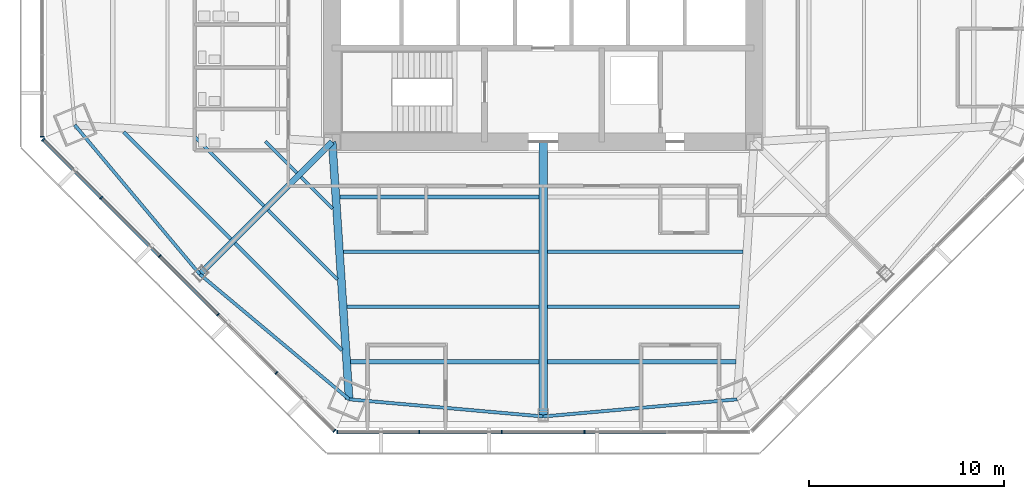
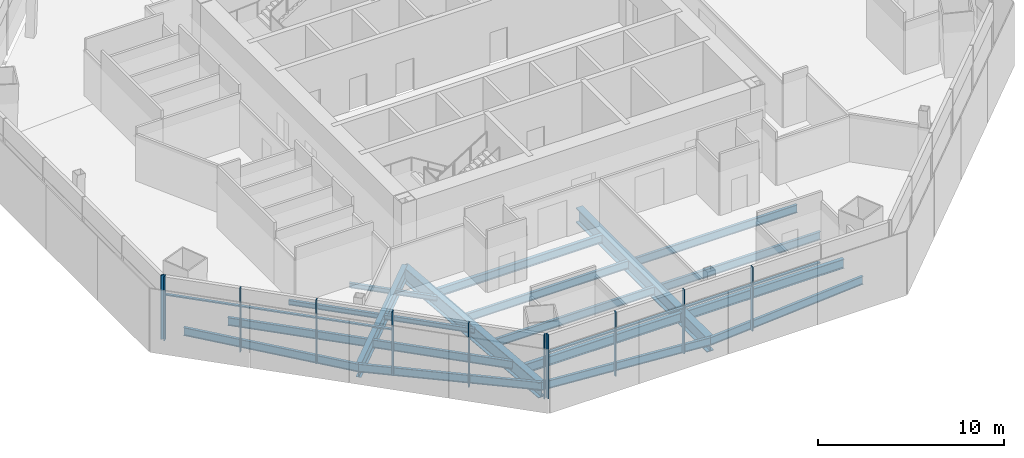
# One storey, part 2 of 18: 20 beams, 18 members, 3 elements without a shape of their own.
"""IFC4 building model written with IfcOpenShell, lengths in metres."""

from ifc_helpers import new_model, si_unit, direction, frame, origin, origin_2d, place, context, subcontext, project, spatial, rectangle, i_section, extrude, source, transform, mapped, material, material_profile, profile_set, type_object, type_shapes, element, aggregate, save


model = new_model("IFC4")

# Units and contexts
model_context = context("Model", 3, precision=1e-05, world=origin(), true_north=direction((0.0, 1.0)))
body_context = subcontext(model_context, "Body", "Model", "MODEL_VIEW")
ifc_project = project(units=[si_unit("LENGTHUNIT", "METRE"), si_unit("AREAUNIT", "SQUARE_METRE"), si_unit("VOLUMEUNIT", "CUBIC_METRE"), si_unit("PLANEANGLEUNIT", "RADIAN"), si_unit("MASSUNIT", "GRAM", prefix="KILO")], contexts=[model_context])

# Site, building, storey
site_placement = place(None, origin())
site = spatial("IfcSite", under=ifc_project, at=site_placement, CompositionType="ELEMENT")
building_placement = place(site_placement, origin())
building = spatial("IfcBuilding", under=site, at=building_placement, Name="Mashrafa Tower", CompositionType="ELEMENT")
storey_placement = place(building_placement, frame((0.0, 0.0, 83.39990234375)))
storey = spatial("IfcBuildingStorey", under=building, at=storey_placement, Name="L18", CompositionType="ELEMENT", Elevation=83.39990234375)

# Beams
ifc_material_1 = material(Name="Steel ASTM A992", Category="steel")
ifc_material_profile_1 = material_profile(ifc_material_1, i_section(OverallWidth=0.164794921875, OverallDepth=0.309814453125, WebThickness=0.005859375, FlangeThickness=0.009765625, FilletRadius=0.007568359375, at=origin_2d()), Name="W12X26")
ifc_profile_set_1 = profile_set([ifc_material_profile_1], Name="Steel ASTM A992")
beam_type_1 = type_object("IfcBeamType", Name="Beam W12X26", PredefinedType="BEAM", material=ifc_profile_set_1)
beam_1_placement = place(storey_placement, frame((-14.297119140625, -14.08154296875, -0.31982421875), z_axis=(-0.707131141079, 0.707082420455, 0.0), x_axis=(-0.707082420455, -0.707131141079, 0.0)))
element("IfcBeam", 1, at=beam_1_placement, inside=storey, type_object=beam_type_1, Name="Floor beam L18 012", PredefinedType="BEAM", context=body_context, shape_type="SweptSolid", body=[
    extrude(i_section(OverallWidth=0.164794921875, OverallDepth=0.309814453125, WebThickness=0.005859375, FlangeThickness=0.009765625, FilletRadius=0.007568359375, at=origin_2d()), origin(), (0.0, 0.0, 1.0), 5.010986328125),
])
for number, where, z_axis, x_axis, name in (
    (2, (-12.6025390625, -12.386962890625, -0.31982421875), (-0.707106781187, 0.707106781187, 0.0), (-0.707106781187, -0.707106781187, 0.0), "Floor beam L18 016"),
    (3, (-10.77685546875, -14.212646484375, -0.31982421875), (-0.707106781187, 0.707106781187, 0.0), (-0.707106781187, -0.707106781187, 0.0), "Floor beam L18 019"),
):
    element("IfcBeam", number, at=place(storey_placement, frame(where, z_axis=z_axis, x_axis=x_axis)), inside=storey, type_object=beam_type_1, Name=name, PredefinedType="BEAM", context=body_context, shape_type="SweptSolid", body=[
        extrude(i_section(OverallWidth=0.164794921875, OverallDepth=0.309814453125, WebThickness=0.005859375, FlangeThickness=0.009765625, FilletRadius=0.007568359375, at=origin_2d()), origin(), (0.0, 0.0, 1.0), 2.277099609375),
    ])
beam_2_placement = place(storey_placement, frame((-10.538330078125, -17.840576171875, -0.31982421875), z_axis=(-0.707082420455, 0.707131141079, 0.0), x_axis=(-0.707131141079, -0.707082420455, 0.0)))
element("IfcBeam", 4, at=beam_2_placement, inside=storey, type_object=beam_type_1, Name="Floor beam L18 021", PredefinedType="BEAM", context=body_context, shape_type="SweptSolid", body=[
    extrude(i_section(OverallWidth=0.164794921875, OverallDepth=0.309814453125, WebThickness=0.005859375, FlangeThickness=0.009765625, FilletRadius=0.007568359375, at=origin_2d()), origin(), (0.0, 0.0, 1.0), 5.010986328125),
])
ifc_material_2 = material(Name="Steel ASTM A992", Category="steel")
ifc_material_profile_2 = material_profile(ifc_material_2, i_section(OverallWidth=0.165771484375, OverallDepth=0.5283203125, WebThickness=0.009765625, FlangeThickness=0.013671875, FilletRadius=0.012939453125, at=origin_2d()), Name="W21X50")
ifc_profile_set_2 = profile_set([ifc_material_profile_2], Name="Steel ASTM A992")
beam_type_2 = type_object("IfcBeamType", Name="Beam W21X50", PredefinedType="BEAM", material=ifc_profile_set_2)
for number, where, z_axis, x_axis, name in (
    (5, (-15.991943359375, -15.7763671875, -0.428955078125), (-0.707091019542, 0.70712254248, 0.0), (-0.70712254248, -0.707091019542, 0.0), "Floor beam L18 009"),
    (6, (-10.2998046875, -21.46826171875, -0.428955078125), (-0.70712254248, 0.707091019542, 0.0), (-0.707091019542, -0.70712254248, 0.0), "Floor beam L18 023"),
):
    element("IfcBeam", number, at=place(storey_placement, frame(where, z_axis=z_axis, x_axis=x_axis)), inside=storey, type_object=beam_type_2, Name=name, PredefinedType="BEAM", context=body_context, shape_type="SweptSolid", body=[
        extrude(i_section(OverallWidth=0.165771484375, OverallDepth=0.5283203125, WebThickness=0.009765625, FlangeThickness=0.013671875, FilletRadius=0.012939453125, at=origin_2d()), origin(), (0.0, 0.0, 1.0), 7.744873046875),
    ])
beam_3_placement = place(storey_placement, frame((-0.212158203125, -19.236083984375, -0.428955078125), z_axis=(-1.0, 0.0, 0.0), x_axis=(0.0, -1.0, 0.0)))
element("IfcBeam", 7, at=beam_3_placement, inside=storey, type_object=beam_type_2, Name="Floor beam L18 026", PredefinedType="BEAM", context=body_context, shape_type="SweptSolid", body=[
    extrude(i_section(OverallWidth=0.165771484375, OverallDepth=0.5283203125, WebThickness=0.009765625, FlangeThickness=0.013671875, FilletRadius=0.012939453125, at=origin_2d()), origin(), (0.0, 0.0, 1.0), 9.832275390625),
])
beam_4_placement = place(storey_placement, frame((-0.212158203125, -16.424072265625, -0.428955078125), z_axis=(-1.0, 0.0, 0.0), x_axis=(0.0, -1.0, 0.0)))
element("IfcBeam", 8, at=beam_4_placement, inside=storey, type_object=beam_type_2, Name="Floor beam L18 027", PredefinedType="BEAM", context=body_context, shape_type="SweptSolid", body=[
    extrude(i_section(OverallWidth=0.165771484375, OverallDepth=0.5283203125, WebThickness=0.009765625, FlangeThickness=0.013671875, FilletRadius=0.012939453125, at=origin_2d()), origin(), (0.0, 0.0, 1.0), 10.01708984375),
])
beam_5_placement = place(storey_placement, frame((10.04443359375, -19.236083984375, -0.428955078125), z_axis=(-1.0, 0.0, 0.0), x_axis=(0.0, -1.0, 0.0)))
element("IfcBeam", 9, at=beam_5_placement, inside=storey, type_object=beam_type_2, Name="Floor beam L18 035", PredefinedType="BEAM", context=body_context, shape_type="SweptSolid", body=[
    extrude(i_section(OverallWidth=0.165771484375, OverallDepth=0.5283203125, WebThickness=0.009765625, FlangeThickness=0.013671875, FilletRadius=0.012939453125, at=origin_2d()), origin(), (0.0, 0.0, 1.0), 9.832275390625),
])
beam_6_placement = place(storey_placement, frame((10.229248046875, -16.424072265625, -0.428955078125), z_axis=(-1.0, 0.0, 0.0), x_axis=(0.0, -1.0, 0.0)))
element("IfcBeam", 10, at=beam_6_placement, inside=storey, type_object=beam_type_2, Name="Floor beam L18 037", PredefinedType="BEAM", context=body_context, shape_type="SweptSolid", body=[
    extrude(i_section(OverallWidth=0.165771484375, OverallDepth=0.5283203125, WebThickness=0.009765625, FlangeThickness=0.013671875, FilletRadius=0.012939453125, at=origin_2d()), origin(), (0.0, 0.0, 1.0), 10.01708984375),
])
for number, where, z_axis, x_axis, name in (
    (11, (-23.98193359375, -9.93359375, -0.428955078125), (0.642077564367, -0.766639681556, 0.0), (0.766639681556, 0.642077564367, 0.0), "Spandrel beam L18 074"),
    (12, (-17.578857421875, -17.578857421875, -0.428955078125), (0.766639681556, -0.642077564367, 0.0), (0.642077564367, 0.766639681556, 0.0), "Spandrel beam L18 076"),
    (13, (-9.93359375, -23.98193359375, -0.428955078125), (0.996115083877, -0.088060999722, 0.0), (0.088060999722, 0.996115083877, 0.0), "Spandrel beam L18 078"),
    (14, (0.0, -24.860107421875, -0.428955078125), (0.996115083877, 0.088060999722, 0.0), (-0.088060999722, 0.996115083877, 0.0), "Spandrel beam L18 080"),
):
    element("IfcBeam", number, at=place(storey_placement, frame(where, z_axis=z_axis, x_axis=x_axis)), inside=storey, type_object=beam_type_2, Name=name, PredefinedType="BEAM", context=body_context, shape_type="SweptSolid", body=[
        extrude(i_section(OverallWidth=0.165771484375, OverallDepth=0.5283203125, WebThickness=0.009765625, FlangeThickness=0.013671875, FilletRadius=0.012939453125, at=origin_2d()), origin(), (0.0, 0.0, 1.0), 9.972412109375),
    ])
ifc_material_3 = material(Name="Steel ASTM A992", Category="steel")
ifc_material_profile_3 = material_profile(ifc_material_3, i_section(OverallWidth=0.209228515625, OverallDepth=0.533447265625, WebThickness=0.01025390625, FlangeThickness=0.015625, FilletRadius=0.012939453125, at=origin_2d()), Name="W21X62")
ifc_profile_set_3 = profile_set([ifc_material_profile_3], Name="Steel ASTM A992")
beam_type_3 = type_object("IfcBeamType", Name="Beam W21X62", PredefinedType="BEAM", material=ifc_profile_set_3)
beam_7_placement = place(storey_placement, frame((-0.212158203125, -13.612060546875, -0.431640625), z_axis=(-1.0, 0.0, 0.0), x_axis=(0.0, -1.0, 0.0)))
element("IfcBeam", 15, at=beam_7_placement, inside=storey, type_object=beam_type_3, Name="Floor beam L18 028", PredefinedType="BEAM", context=body_context, shape_type="SweptSolid", body=[
    extrude(i_section(OverallWidth=0.209228515625, OverallDepth=0.533447265625, WebThickness=0.01025390625, FlangeThickness=0.015625, FilletRadius=0.012939453125, at=origin_2d()), origin(), (0.0, 0.0, 1.0), 10.201904296875),
])
ifc_material_4 = material(Name="Steel ASTM A992", Category="steel")
ifc_material_profile_4 = material_profile(ifc_material_4, i_section(OverallWidth=0.227783203125, OverallDepth=0.60205078125, WebThickness=0.010498046875, FlangeThickness=0.014892578125, FilletRadius=0.012939453125, at=origin_2d()), Name="W24X68")
ifc_profile_set_4 = profile_set([ifc_material_profile_4], Name="Steel ASTM A992")
beam_type_4 = type_object("IfcBeamType", Name="Beam W24X68", PredefinedType="BEAM", material=ifc_profile_set_4)
for number, where, z_axis, x_axis, name in (
    (16, (-0.212158203125, -22.048095703125, -0.4658203125), (-1.0, 0.0, 0.0), (0.0, -1.0, 0.0), "Floor beam L18 025"),
    (17, (9.859619140625, -22.048095703125, -0.4658203125), (-1.0, 0.0, 0.0), (0.0, -1.0, 0.0), "Floor beam L18 033"),
):
    element("IfcBeam", number, at=place(storey_placement, frame(where, z_axis=z_axis, x_axis=x_axis)), inside=storey, type_object=beam_type_4, Name=name, PredefinedType="BEAM", context=body_context, shape_type="SweptSolid", body=[
        extrude(i_section(OverallWidth=0.227783203125, OverallDepth=0.60205078125, WebThickness=0.010498046875, FlangeThickness=0.014892578125, FilletRadius=0.012939453125, at=origin_2d()), origin(), (0.0, 0.0, 1.0), 9.6474609375),
    ])
ifc_material_5 = material(Name="Steel ASTM A992", Category="steel")
ifc_material_profile_5 = material_profile(ifc_material_5, i_section(OverallWidth=0.3046875, OverallDepth=0.911865234375, WebThickness=0.015869140625, FlangeThickness=0.02392578125, FilletRadius=0.01904296875, at=origin_2d()), Name="W36X150")
ifc_profile_set_5 = profile_set([ifc_material_profile_5], Name="Steel ASTM A992")
beam_type_5 = type_object("IfcBeamType", Name="Beam W36X150", PredefinedType="BEAM", material=ifc_profile_set_5)
beam_8_placement = place(storey_placement, frame((-10.800048828125, -10.800048828125, -0.620849609375), z_axis=(-0.707106781187, -0.707106781187, 0.0), x_axis=(0.707106781187, -0.707106781187, 0.0)))
element("IfcBeam", 18, at=beam_8_placement, inside=storey, type_object=beam_type_5, Name="Radial girder L18 058", PredefinedType="BEAM", context=body_context, shape_type="SweptSolid", body=[
    extrude(i_section(OverallWidth=0.3046875, OverallDepth=0.911865234375, WebThickness=0.015869140625, FlangeThickness=0.02392578125, FilletRadius=0.01904296875, at=origin_2d()), origin(), (0.0, 0.0, 1.0), 9.586669921875),
])
ifc_material_6 = material(Name="Steel ASTM A992", Category="steel")
ifc_material_profile_6 = material_profile(ifc_material_6, i_section(OverallWidth=0.424072265625, OverallDepth=0.960205078125, WebThickness=0.028564453125, FlangeThickness=0.051025390625, FilletRadius=0.02001953125, at=origin_2d()), Name="W36X361")
ifc_profile_set_6 = profile_set([ifc_material_profile_6], Name="Steel ASTM A992")
beam_type_6 = type_object("IfcBeamType", Name="Beam W36X361", PredefinedType="BEAM", material=ifc_profile_set_6)
beam_9_placement = place(storey_placement, frame((0.0, -10.800048828125, -0.64501953125), z_axis=(0.0, -1.0, 0.0), x_axis=(1.0, 0.0, 0.0)))
element("IfcBeam", 19, at=beam_9_placement, inside=storey, type_object=beam_type_6, Name="Radial girder L18 064", PredefinedType="BEAM", context=body_context, shape_type="SweptSolid", body=[
    extrude(i_section(OverallWidth=0.424072265625, OverallDepth=0.960205078125, WebThickness=0.028564453125, FlangeThickness=0.051025390625, FilletRadius=0.02001953125, at=origin_2d()), origin(), (0.0, 0.0, 1.0), 14.06005859375),
])
ifc_material_7 = material(Name="Steel ASTM A992", Category="steel")
ifc_material_profile_7 = material_profile(ifc_material_7, i_section(OverallWidth=0.4013671875, OverallDepth=1.010986328125, WebThickness=0.023681640625, FlangeThickness=0.0419921875, FilletRadius=0.02001953125, at=origin_2d()), Name="W40X297")
ifc_profile_set_7 = profile_set([ifc_material_profile_7], Name="Steel ASTM A992")
beam_type_7 = type_object("IfcBeamType", Name="Beam W40X297", PredefinedType="BEAM", material=ifc_profile_set_7)
beam_10_placement = place(storey_placement, frame((-10.800048828125, -10.800048828125, -0.67041015625), z_axis=(0.065589205505, -0.997846709731, 0.0), x_axis=(0.997846709731, 0.065589205505, 0.0)))
element("IfcBeam", 20, at=beam_10_placement, inside=storey, type_object=beam_type_7, Name="Radial girder L18 059", PredefinedType="BEAM", context=body_context, shape_type="SweptSolid", body=[
    extrude(i_section(OverallWidth=0.4013671875, OverallDepth=1.010986328125, WebThickness=0.023681640625, FlangeThickness=0.0419921875, FilletRadius=0.02001953125, at=origin_2d()), origin(), (0.0, 0.0, 1.0), 13.21044921875),
])

# Curtain wall, member
ifc_material_8 = material(Name="Unitised aluminium curtain wall", Category="aluminium")
curtain_wall_type = type_object("IfcCurtainWallType", Name="Office curtain wall, zone 1 CW-A 200 deep", PredefinedType="NOTDEFINED", material=ifc_material_8)
curtain_wall_1_placement = place(storey_placement, origin())
curtain_wall_1 = element("IfcCurtainWall", 21, at=curtain_wall_1_placement, inside=storey, type_object=curtain_wall_type, Name="Office curtain wall, zone 1 L18 west", PredefinedType="NOTDEFINED")
ifc_material_9 = material(Name="Extruded aluminium mullion", Category="aluminium")
ifc_material_profile_8 = material_profile(ifc_material_9, rectangle(XDim=0.199951171875, YDim=0.06494140625, at=origin_2d()), Name="Mullion 65x200")
ifc_profile_set_8 = profile_set([ifc_material_profile_8], Name="Extruded aluminium mullion")
member_type_1 = type_object("IfcMemberType", Name="Mullion CW-A 65 x 200", PredefinedType="MULLION", material=ifc_profile_set_8)
shared_shape_1 = source(origin(), body_context, "Body", "SweptSolid", [
    extrude(rectangle(XDim=0.199951171875, YDim=0.06494140625, at=origin_2d()), origin(), (0.0, 0.0, 1.0), 4.2001953125),
])
type_shapes(member_type_1, [shared_shape_1])
member_1_placement = place(storey_placement, frame((-25.655517578125, -10.54296875, 0.0), z_axis=(0.0, 0.0, 1.0), x_axis=(1.0, 0.0, 0.0)))
member_1 = element("IfcMember", 22, at=member_1_placement, type_object=member_type_1, Name="CW-A mullion 6", PredefinedType="MULLION", context=body_context, shape_type="MappedRepresentation", body=[
    mapped(shared_shape_1, transform((0.0, 0.0, 0.0))),
])
aggregate(curtain_wall_1, [member_1])

# Curtain wall, members
curtain_wall_2_placement = place(storey_placement, origin())
curtain_wall_2 = element("IfcCurtainWall", 23, at=curtain_wall_2_placement, inside=storey, type_object=curtain_wall_type, Name="Office curtain wall, zone 1 L18 south-west", PredefinedType="NOTDEFINED")
member_2_placement = place(storey_placement, frame((-25.59619140625, -10.686279296875, 0.0), z_axis=(0.0, 0.0, 1.0), x_axis=(0.707106781187, 0.707106781187, 0.0)))
member_2 = element("IfcMember", 24, at=member_2_placement, type_object=member_type_1, Name="CW-A mullion 1", PredefinedType="MULLION", context=body_context, shape_type="MappedRepresentation", body=[
    mapped(shared_shape_1, transform((0.0, 0.0, 0.0))),
])
member_3_placement = place(storey_placement, frame((-22.6279296875, -13.654296875, 0.0), z_axis=(0.0, 0.0, 1.0), x_axis=(0.707106781187, 0.707106781187, 0.0)))
member_3 = element("IfcMember", 25, at=member_3_placement, type_object=member_type_1, Name="CW-A mullion 2", PredefinedType="MULLION", context=body_context, shape_type="MappedRepresentation", body=[
    mapped(shared_shape_1, transform((0.0, 0.0, 0.0))),
])
member_4_placement = place(storey_placement, frame((-19.63671875, -16.6455078125, 0.0), z_axis=(0.0, 0.0, 1.0), x_axis=(0.707106781187, 0.707106781187, 0.0)))
member_4 = element("IfcMember", 26, at=member_4_placement, type_object=member_type_1, Name="CW-A mullion 3", PredefinedType="MULLION", context=body_context, shape_type="MappedRepresentation", body=[
    mapped(shared_shape_1, transform((0.0, 0.0, 0.0))),
])
member_5_placement = place(storey_placement, frame((-16.6455078125, -19.63671875, 0.0), z_axis=(0.0, 0.0, 1.0), x_axis=(0.707106781187, 0.707106781187, 0.0)))
member_5 = element("IfcMember", 27, at=member_5_placement, type_object=member_type_1, Name="CW-A mullion 4", PredefinedType="MULLION", context=body_context, shape_type="MappedRepresentation", body=[
    mapped(shared_shape_1, transform((0.0, 0.0, 0.0))),
])
member_6_placement = place(storey_placement, frame((-13.654296875, -22.6279296875, 0.0), z_axis=(0.0, 0.0, 1.0), x_axis=(0.707106781187, 0.707106781187, 0.0)))
member_6 = element("IfcMember", 28, at=member_6_placement, type_object=member_type_1, Name="CW-A mullion 5", PredefinedType="MULLION", context=body_context, shape_type="MappedRepresentation", body=[
    mapped(shared_shape_1, transform((0.0, 0.0, 0.0))),
])
member_7_placement = place(storey_placement, frame((-10.686279296875, -25.59619140625, 0.0), z_axis=(0.0, 0.0, 1.0), x_axis=(0.707106781187, 0.707106781187, 0.0)))
member_7 = element("IfcMember", 29, at=member_7_placement, type_object=member_type_1, Name="CW-A mullion 6", PredefinedType="MULLION", context=body_context, shape_type="MappedRepresentation", body=[
    mapped(shared_shape_1, transform((0.0, 0.0, 0.0))),
])

curtain_wall_3_placement = place(storey_placement, origin())
curtain_wall_3 = element("IfcCurtainWall", 30, at=curtain_wall_3_placement, inside=storey, type_object=curtain_wall_type, Name="Office curtain wall, zone 1 L18 south", PredefinedType="NOTDEFINED")
member_8_placement = place(storey_placement, frame((-10.54296875, -25.655517578125, 0.0), z_axis=(0.0, 0.0, 1.0), x_axis=(0.0, 1.0, 0.0)))
member_8 = element("IfcMember", 31, at=member_8_placement, type_object=member_type_1, Name="CW-A mullion 1", PredefinedType="MULLION", context=body_context, shape_type="MappedRepresentation", body=[
    mapped(shared_shape_1, transform((0.0, 0.0, 0.0))),
])
member_9_placement = place(storey_placement, frame((-6.34521484375, -25.655517578125, 0.0), z_axis=(0.0, 0.0, 1.0), x_axis=(0.0, 1.0, 0.0)))
member_9 = element("IfcMember", 32, at=member_9_placement, type_object=member_type_1, Name="CW-A mullion 2", PredefinedType="MULLION", context=body_context, shape_type="MappedRepresentation", body=[
    mapped(shared_shape_1, transform((0.0, 0.0, 0.0))),
])
member_10_placement = place(storey_placement, frame((-2.114990234375, -25.655517578125, 0.0), z_axis=(0.0, 0.0, 1.0), x_axis=(0.0, 1.0, 0.0)))
member_10 = element("IfcMember", 33, at=member_10_placement, type_object=member_type_1, Name="CW-A mullion 3", PredefinedType="MULLION", context=body_context, shape_type="MappedRepresentation", body=[
    mapped(shared_shape_1, transform((0.0, 0.0, 0.0))),
])
member_11_placement = place(storey_placement, frame((2.114990234375, -25.655517578125, 0.0), z_axis=(0.0, 0.0, 1.0), x_axis=(0.0, 1.0, 0.0)))
member_11 = element("IfcMember", 34, at=member_11_placement, type_object=member_type_1, Name="CW-A mullion 4", PredefinedType="MULLION", context=body_context, shape_type="MappedRepresentation", body=[
    mapped(shared_shape_1, transform((0.0, 0.0, 0.0))),
])
ifc_material_10 = material(Name="Extruded aluminium transom", Category="aluminium")
ifc_material_profile_9 = material_profile(ifc_material_10, rectangle(XDim=0.159912109375, YDim=0.080078125, at=origin_2d()), Name="Transom 80x160")
ifc_profile_set_9 = profile_set([ifc_material_profile_9], Name="Extruded aluminium transom")
member_type_2 = type_object("IfcMemberType", Name="Transom CW-A 80 x 160", PredefinedType="MULLION", material=ifc_profile_set_9)
shared_shape_2 = source(origin(), body_context, "Body", "SweptSolid", [
    extrude(rectangle(XDim=0.159912109375, YDim=0.080078125, at=origin_2d()), origin(), (0.0, 0.0, 1.0), 4.1328125),
])
member_12_placement = place(storey_placement, frame((-10.510498046875, -25.655517578125, 3.0), z_axis=(1.0, 0.0, 0.0), x_axis=(0.0, 1.0, 0.0)))
member_12 = element("IfcMember", 35, at=member_12_placement, type_object=member_type_2, Name="CW-A transom 1", PredefinedType="MULLION", context=body_context, shape_type="MappedRepresentation", body=[
    mapped(shared_shape_2, transform((0.0, 0.0, 0.0))),
])

# Member
shared_shape_3 = source(origin(), body_context, "Body", "SweptSolid", [
    extrude(rectangle(XDim=0.159912109375, YDim=0.080078125, at=origin_2d()), origin(), (0.0, 0.0, 1.0), 4.165283203125),
])
member_13_placement = place(storey_placement, frame((-22.60498046875, -13.67724609375, 3.0), z_axis=(0.707106781187, -0.707106781187, 0.0), x_axis=(0.707106781187, 0.707106781187, 0.0)))
member_13 = element("IfcMember", 36, at=member_13_placement, type_object=member_type_2, Name="CW-A transom 2", PredefinedType="MULLION", context=body_context, shape_type="MappedRepresentation", body=[
    mapped(shared_shape_3, transform((0.0, 0.0, 0.0))),
])

member_14_placement = place(storey_placement, frame((-19.61376953125, -16.66845703125, 3.0), z_axis=(0.707106781187, -0.707106781187, 0.0), x_axis=(0.707106781187, 0.707106781187, 0.0)))
member_14 = element("IfcMember", 37, at=member_14_placement, type_object=member_type_2, Name="CW-A transom 3", PredefinedType="MULLION", context=body_context, shape_type="MappedRepresentation", body=[
    mapped(shared_shape_3, transform((0.0, 0.0, 0.0))),
])

member_15_placement = place(storey_placement, frame((-6.312744140625, -25.655517578125, 3.0), z_axis=(1.0, 0.0, 0.0), x_axis=(0.0, 1.0, 0.0)))
member_15 = element("IfcMember", 38, at=member_15_placement, type_object=member_type_2, Name="CW-A transom 2", PredefinedType="MULLION", context=body_context, shape_type="MappedRepresentation", body=[
    mapped(shared_shape_3, transform((0.0, 0.0, 0.0))),
])

member_16_placement = place(storey_placement, frame((2.1474609375, -25.655517578125, 3.0), z_axis=(1.0, 0.0, 0.0), x_axis=(0.0, 1.0, 0.0)))
member_16 = element("IfcMember", 39, at=member_16_placement, type_object=member_type_2, Name="CW-A transom 4", PredefinedType="MULLION", context=body_context, shape_type="MappedRepresentation", body=[
    mapped(shared_shape_3, transform((0.0, 0.0, 0.0))),
])

shared_shape_4 = source(origin(), body_context, "Body", "SweptSolid", [
    extrude(rectangle(XDim=0.159912109375, YDim=0.080078125, at=origin_2d()), origin(), (0.0, 0.0, 1.0), 4.1650390625),
])
member_17_placement = place(storey_placement, frame((-2.08251953125, -25.655517578125, 3.0), z_axis=(1.0, 0.0, 0.0), x_axis=(0.0, 1.0, 0.0)))
member_17 = element("IfcMember", 40, at=member_17_placement, type_object=member_type_2, Name="CW-A transom 3", PredefinedType="MULLION", context=body_context, shape_type="MappedRepresentation", body=[
    mapped(shared_shape_4, transform((0.0, 0.0, 0.0))),
])

aggregate(curtain_wall_3, [member_8, member_9, member_10, member_11, member_12, member_15, member_17, member_16])

shared_shape_5 = source(origin(), body_context, "Body", "SweptSolid", [
    extrude(rectangle(XDim=0.159912109375, YDim=0.080078125, at=origin_2d()), origin(), (0.0, 0.0, 1.0), 4.132568359375),
])
type_shapes(member_type_2, [shared_shape_2, shared_shape_3, shared_shape_4, shared_shape_5])
member_18_placement = place(storey_placement, frame((-25.5732421875, -10.709228515625, 3.0), z_axis=(0.707136318428, -0.707077242712, 0.0), x_axis=(0.707077242712, 0.707136318428, 0.0)))
member_18 = element("IfcMember", 41, at=member_18_placement, type_object=member_type_2, Name="CW-A transom 1", PredefinedType="MULLION", context=body_context, shape_type="MappedRepresentation", body=[
    mapped(shared_shape_5, transform((0.0, 0.0, 0.0))),
])

aggregate(curtain_wall_2, [member_2, member_3, member_4, member_5, member_6, member_7, member_18, member_13, member_14])

save(model, "model.ifc")
